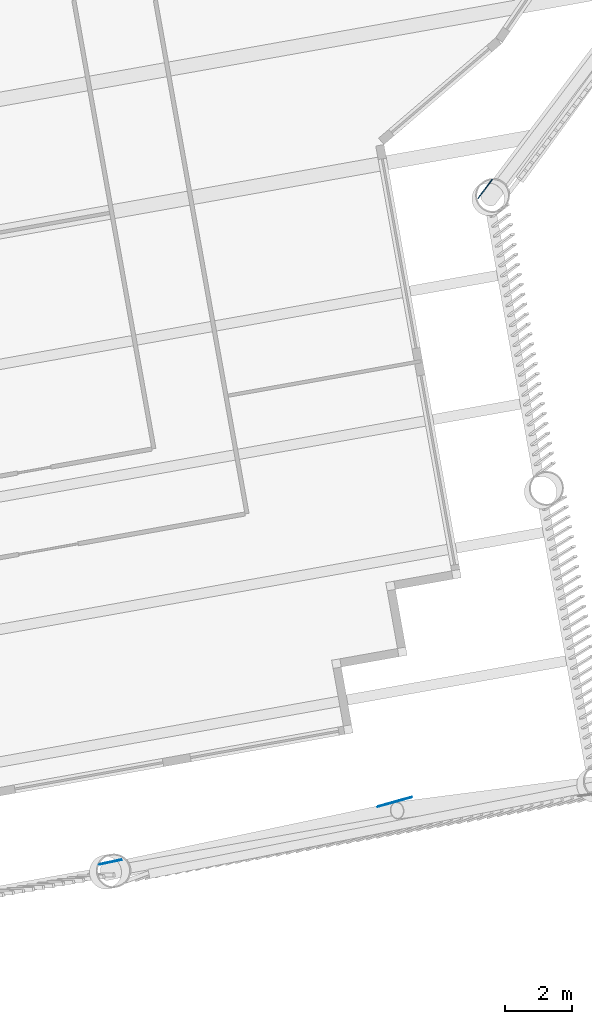
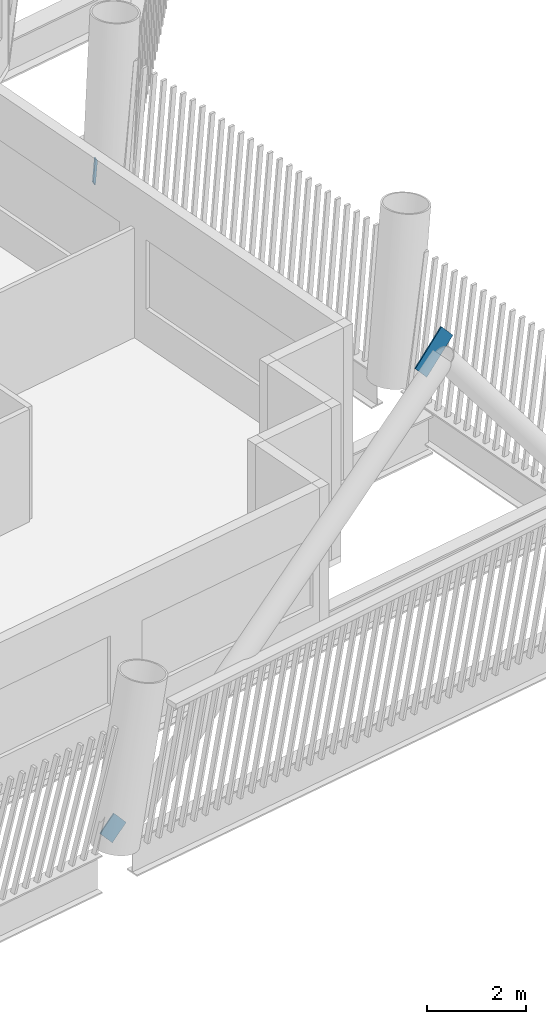
# One storey, part 8 of 22: 3 discrete accessories.
"""IFC4 building model written with IfcOpenShell, lengths in metres."""

import ifcopenshell
import ifcopenshell.guid

model = None  # the IFC model being written
_history = None  # IfcOwnerHistory: only IFC2X3 demands one
_inside = {}  # id of a spatial element -> (the spatial element, [elements in it])
_under = {}  # id of a project, library or spatial element -> (it, [spatial elements below it])
_declared = {}  # id of a project -> (the project, [libraries it declares])
_typed = {}  # id of a type object -> (the type object, [elements of that type])
_made_of = {}  # id of a material, layer set ... -> (it, [elements and type objects made of it])


def new_model(schema):
    """Start an empty IFC model of exactly this schema.

    Asked for "IFC4X3", IfcOpenShell would pick the latest addendum, in which some entities
    have other attributes; the version numbers below select the first issue.
    IFC2X3 requires an IfcOwnerHistory on every rooted entity: one is made here for all.
    """
    global model, _history
    if schema == "IFC4X3":
        model = ifcopenshell.file(schema_version=(4, 3, 0, 0))
    else:
        model = ifcopenshell.file(schema=schema)
    _inside.clear()
    _under.clear()
    _declared.clear()
    _typed.clear()
    _made_of.clear()
    _history = None
    if model.schema == "IFC2X3":
        org = make("IfcOrganization", Name="unknown")
        user = make(
            "IfcPersonAndOrganization",
            ThePerson=make("IfcPerson", FamilyName="unknown"),
            TheOrganization=org,
        )
        app = make(
            "IfcApplication",
            ApplicationDeveloper=org,
            Version="unknown",
            ApplicationFullName="unknown",
            ApplicationIdentifier="unknown",
        )
        _history = make(
            "IfcOwnerHistory",
            OwningUser=user,
            OwningApplication=app,
            ChangeAction="ADDED",
            CreationDate=0,
        )
    return model


def make(cls, **values):
    """One entity of the class cls with the attributes given. An attribute that is None is left unset."""
    return model.create_entity(
        cls, **{name: value for name, value in values.items() if value is not None}
    )


def rooted(cls, **values):
    """An entity with a GlobalId (a new one), such as an element, a storey or a relation."""
    return make(cls, GlobalId=ifcopenshell.guid.new(), OwnerHistory=_history, **values)


def si_unit(unit_type, name, prefix=None):
    """IfcSIUnit, for example si_unit("LENGTHUNIT", "METRE", prefix="MILLI")."""
    return make("IfcSIUnit", UnitType=unit_type, Prefix=prefix, Name=name)


def assignment(units):
    """IfcUnitAssignment: the units of a project."""
    return None if units is None else make("IfcUnitAssignment", Units=units)


def point(xyz):
    """IfcCartesianPoint."""
    return None if xyz is None else make("IfcCartesianPoint", Coordinates=xyz)


def direction(xyz):
    """IfcDirection."""
    return None if xyz is None else make("IfcDirection", DirectionRatios=xyz)


def frame(location, z_axis=None, x_axis=None):
    """IfcAxis2Placement3D, a coordinate frame: its origin and axes. An axis left out is left unset."""
    return make(
        "IfcAxis2Placement3D",
        Location=point(location),
        Axis=direction(z_axis),
        RefDirection=direction(x_axis),
    )


def frame_2d(location, x_axis=None):
    """IfcAxis2Placement2D, a coordinate frame in the plane: its origin and x axis."""
    return make(
        "IfcAxis2Placement2D", Location=point(location), RefDirection=direction(x_axis)
    )


def origin():
    """The frame at (0, 0, 0) with its axes left unset."""
    return frame((0.0, 0.0, 0.0))


def origin_2d():
    """The frame at (0, 0) in the plane with its x axis left unset."""
    return frame_2d((0.0, 0.0))


def place(relative_to, where):
    """IfcLocalPlacement: puts the frame where relative to a parent placement (None: the world)."""
    return make(
        "IfcLocalPlacement", PlacementRelTo=relative_to, RelativePlacement=where
    )


def context(
    kind, dimensions, precision=None, world=None, true_north=None, identifier=None
):
    """IfcGeometricRepresentationContext, for example the 3D "Model" context."""
    return make(
        "IfcGeometricRepresentationContext",
        ContextIdentifier=identifier,
        ContextType=kind,
        CoordinateSpaceDimension=dimensions,
        Precision=precision,
        WorldCoordinateSystem=world,
        TrueNorth=true_north,
    )


def subcontext(parent, identifier, kind, view, scale=None):
    """IfcGeometricRepresentationSubContext, for example "Body" below "Model"."""
    return make(
        "IfcGeometricRepresentationSubContext",
        ContextIdentifier=identifier,
        ContextType=kind,
        ParentContext=parent,
        TargetScale=scale,
        TargetView=view,
    )


def project(units=None, contexts=None):
    """IfcProject with its units and contexts."""
    return rooted(
        "IfcProject",
        Name="project",
        RepresentationContexts=contexts,
        UnitsInContext=assignment(units),
    )


def spatial(cls, under=None, at=None, **own):
    """A site, building, storey or space (cls), placed at a placement, below another one or the project."""
    s = rooted(cls, ObjectPlacement=at, **own)
    if under is not None:
        _under.setdefault(under.id(), (under, []))[1].append(s)
    return s


def profile(cls, at=None, kind="AREA", **sizes):
    """A parametric profile (cls). Its sizes go by their IFC names, for example OverallWidth=200.0."""
    return make(cls, ProfileType=kind, Position=at, **sizes)


def rectangle(**sizes):
    """IfcRectangleProfileDef."""
    return profile("IfcRectangleProfileDef", **sizes)


def extrude(swept, where, along, depth):
    """IfcExtrudedAreaSolid: the profile swept, set in the frame where, extruded along a direction by depth."""
    return make(
        "IfcExtrudedAreaSolid",
        SweptArea=swept,
        Position=where,
        ExtrudedDirection=direction(along),
        Depth=depth,
    )


def shape(context_of_items, identifier, shape_type, items):
    """IfcShapeRepresentation: the items that make up one representation, for example the "Body"."""
    return make(
        "IfcShapeRepresentation",
        ContextOfItems=context_of_items,
        RepresentationIdentifier=identifier,
        RepresentationType=shape_type,
        Items=items,
    )


def material(Name=None, Category=None):
    """IfcMaterial."""
    return make("IfcMaterial", Name=Name, Category=Category)


def material_profile(
    of_material, cross_section, Name=None, Category=None, Priority=None
):
    """IfcMaterialProfile: a cross section and its material."""
    return make(
        "IfcMaterialProfile",
        Name=Name,
        Material=of_material,
        Profile=cross_section,
        Priority=Priority,
        Category=Category,
    )


def profile_set(profiles, Name=None, composite=None):
    """IfcMaterialProfileSet."""
    return make(
        "IfcMaterialProfileSet",
        Name=Name,
        MaterialProfiles=profiles,
        CompositeProfile=composite,
    )


def made_of(thing, what):
    """Note that an element or type object is made of a material, layer set ...; save() writes the relation."""
    if what is not None:
        _made_of.setdefault(what.id(), (what, []))[1].append(thing)
    return thing


def type_object(cls, material=None, **own):
    """A type object (cls), such as IfcWallType, which elements share."""
    return made_of(rooted(cls, **own), material)


def element(
    cls,
    number,
    at=None,
    inside=None,
    cuts=None,
    type_object=None,
    material=None,
    context=None,
    identifier="Body",
    shape_type=None,
    held_by="IfcProductDefinitionShape",
    body=None,
    shapes=None,
    **own,
):
    """One element of the class cls, such as IfcWall. Its Tag is "e" and its number.

    at: its placement. inside: the storey or other place that contains it. cuts: it is an
    opening in that element (IfcRelVoidsElement). A single representation is given by context,
    identifier, shape_type and body (its items); several are given by shapes. held_by: the class
    of the entity that holds the representations. save() writes the other relations.
    """
    e = rooted(cls, Tag="e%d" % number, ObjectPlacement=at, **own)
    if body is not None:
        shapes = [shape(context, identifier, shape_type, body)]
    if shapes is not None:
        e.Representation = make(held_by, Representations=shapes)
    if inside is not None:
        _inside.setdefault(inside.id(), (inside, []))[1].append(e)
    if cuts is not None:
        rooted(
            "IfcRelVoidsElement", RelatingBuildingElement=cuts, RelatedOpeningElement=e
        )
    if type_object is not None:
        _typed.setdefault(type_object.id(), (type_object, []))[1].append(e)
    return made_of(e, material)


def aggregate(whole, parts):
    """IfcRelAggregates: a whole, such as a stair, and the parts it consists of."""
    return rooted("IfcRelAggregates", RelatingObject=whole, RelatedObjects=parts)


def save(model, path):
    """Write the relations noted so far, then the file.

    IfcRelAggregates (storeys below a building ...), IfcRelContainedInSpatialStructure (elements
    in a storey), IfcRelDefinesByType, IfcRelAssociatesMaterial and IfcRelDeclares: one each for
    every whole, place, type object, material and project.
    """
    for whole, parts in _under.values():
        aggregate(whole, parts)
    for where, things in _inside.values():
        rooted(
            "IfcRelContainedInSpatialStructure",
            RelatedElements=things,
            RelatingStructure=where,
        )
    for kind, things in _typed.values():
        rooted("IfcRelDefinesByType", RelatedObjects=things, RelatingType=kind)
    for what, things in _made_of.values():
        rooted("IfcRelAssociatesMaterial", RelatedObjects=things, RelatingMaterial=what)
    for by, libraries in _declared.values():
        rooted("IfcRelDeclares", RelatingContext=by, RelatedDefinitions=libraries)
    model.write(path)


model = new_model("IFC4")

# Units and contexts
model_context = context("Model", 3, precision=1e-05, world=origin(), true_north=direction((0.0, 1.0)))
body_context = subcontext(model_context, "Body", "Model", "MODEL_VIEW")
ifc_project = project(units=[si_unit("LENGTHUNIT", "METRE"), si_unit("AREAUNIT", "SQUARE_METRE"), si_unit("VOLUMEUNIT", "CUBIC_METRE"), si_unit("PLANEANGLEUNIT", "RADIAN"), si_unit("MASSUNIT", "GRAM", prefix="KILO")], contexts=[model_context])

# Site, building, storey
site_placement = place(None, origin())
site = spatial("IfcSite", under=ifc_project, at=site_placement, CompositionType="ELEMENT")
building_placement = place(site_placement, origin())
building = spatial("IfcBuilding", under=site, at=building_placement, Name="Tarsis Ring Headquarters", CompositionType="ELEMENT")
storey_placement = place(building_placement, frame((0.0, 0.0, 270.800048828125)))
storey = spatial("IfcBuildingStorey", under=building, at=storey_placement, Name="L63", CompositionType="ELEMENT", Elevation=270.800048828125)

# Discrete accessories
ifc_material = material(Name="Structural steel S355", Category="steel")
ifc_material_profile = material_profile(ifc_material, rectangle(XDim=0.02490234375, YDim=0.5, at=origin_2d()), Name="PL 25x500")
ifc_profile_set = profile_set([ifc_material_profile], Name="Structural steel S355")
discrete_accessory_type = type_object("IfcDiscreteAccessoryType", Name="Gusset plate Exo brace 25", PredefinedType="BRACKET", material=ifc_profile_set)
discrete_accessory_1_placement = place(storey_placement, frame((7.46533203125, -41.873291015625, 0.0), z_axis=(0.735583447127, 0.155322401186, 0.659387552205), x_axis=(-0.206599813053, 0.97842552974, 0.0)))
element("IfcDiscreteAccessory", 1, at=discrete_accessory_1_placement, inside=storey, type_object=discrete_accessory_type, Name="Gusset plate GP5", PredefinedType="BRACKET", context=body_context, shape_type="SweptSolid", body=[
    extrude(rectangle(XDim=0.02490234375, YDim=0.5, at=origin_2d()), origin(), (0.0, 0.0, 1.0), 0.499755859375),
])
discrete_accessory_2_placement = place(storey_placement, frame((15.787353515625, -40.136962890625, 7.470458984375), z_axis=(0.724378748695, 0.202640499298, 0.658947840488), x_axis=(-0.269401171074, 0.96302804166, 0.0)))
element("IfcDiscreteAccessory", 2, at=discrete_accessory_2_placement, inside=storey, type_object=discrete_accessory_type, Name="Gusset plate GP5", PredefinedType="BRACKET", context=body_context, shape_type="SweptSolid", body=[
    extrude(rectangle(XDim=0.02490234375, YDim=0.5, at=origin_2d()), origin(), (0.0, 0.0, 1.0), 1.0),
])
discrete_accessory_3_placement = place(storey_placement, frame((18.748779296875, -21.845947265625, 0.0), z_axis=(0.404847177085, 0.538656738631, 0.738882724885), x_axis=(-0.799390804634, 0.600811402577, 0.0)))
element("IfcDiscreteAccessory", 3, at=discrete_accessory_3_placement, inside=storey, type_object=discrete_accessory_type, Name="Gusset plate GP5", PredefinedType="BRACKET", context=body_context, shape_type="SweptSolid", body=[
    extrude(rectangle(XDim=0.02490234375, YDim=0.5, at=origin_2d()), origin(), (0.0, 0.0, 1.0), 0.5),
])

save(model, "model.ifc")
